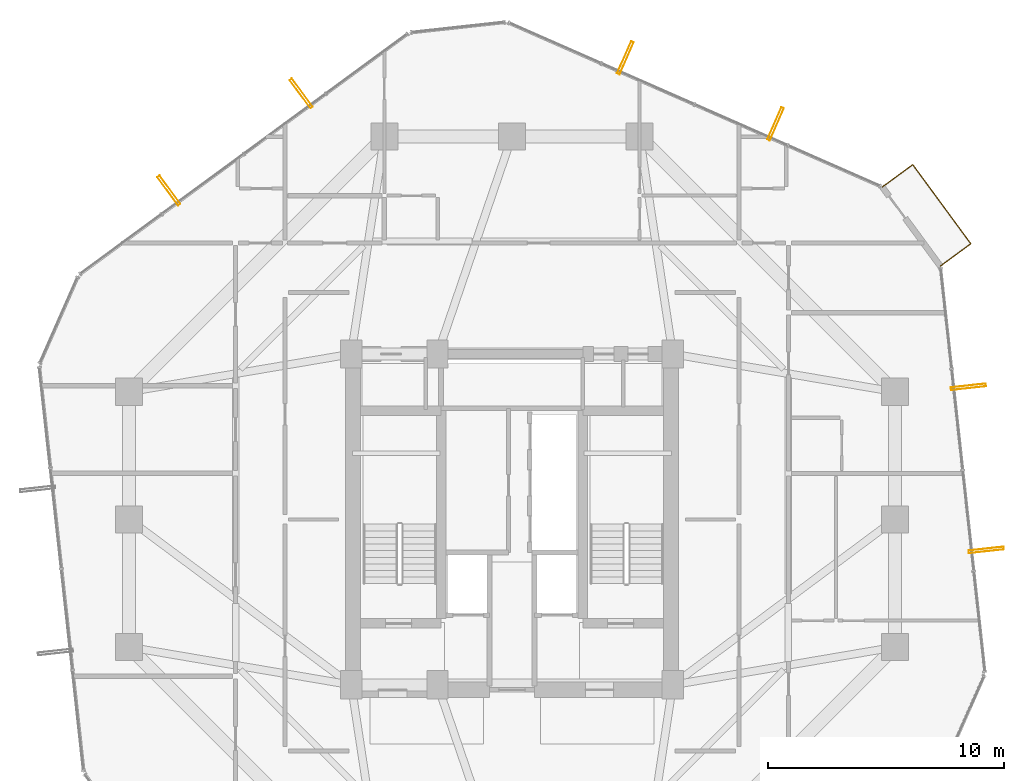
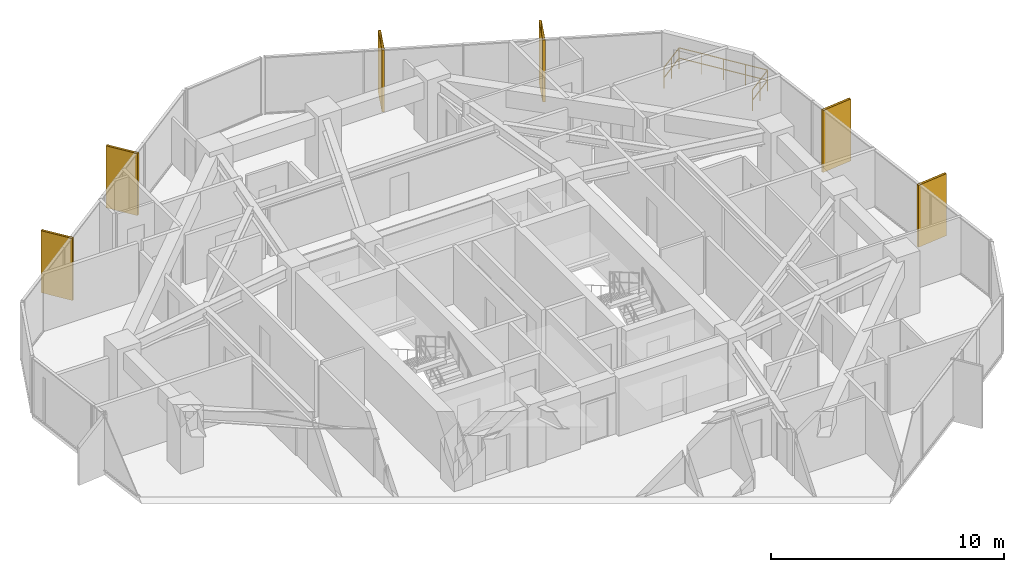
# One storey, part 34 of 34: 6 shading devices, 1 railing.
"""IFC4 building model written with IfcOpenShell, lengths in metres."""

from ifc_helpers import new_model, si_unit, direction, frame, origin, origin_2d, place, context, subcontext, project, spatial, hollow_rectangle, circle, extrude, material, material_profile, profile_set, type_object, element, save


model = new_model("IFC4")

# Units and contexts
model_context = context("Model", 3, precision=1e-05, world=origin(), true_north=direction((0.0, 1.0)))
body_context = subcontext(model_context, "Body", "Model", "MODEL_VIEW")
ifc_project = project(units=[si_unit("LENGTHUNIT", "METRE"), si_unit("AREAUNIT", "SQUARE_METRE"), si_unit("VOLUMEUNIT", "CUBIC_METRE"), si_unit("PLANEANGLEUNIT", "RADIAN"), si_unit("MASSUNIT", "GRAM", prefix="KILO")], contexts=[model_context])

# Site, building, storey
site_placement = place(None, origin())
site = spatial("IfcSite", under=ifc_project, at=site_placement, CompositionType="ELEMENT")
building_placement = place(site_placement, origin())
building = spatial("IfcBuilding", under=site, at=building_placement, Name="Veraguas Prism Commons", CompositionType="ELEMENT")
storey_placement = place(building_placement, frame((0.0, 0.0, 149.0)))
storey = spatial("IfcBuildingStorey", under=building, at=storey_placement, Name="L42", CompositionType="ELEMENT", Elevation=149.0)

# Shading devices
ifc_material_1 = material(Name="Anodised aluminium EN AW-6063 T6", Category="aluminium")
ifc_material_profile = material_profile(ifc_material_1, hollow_rectangle(XDim=0.1201171875, YDim=1.489990234375, WallThickness=0.006103515625, at=origin_2d()), Name="FIN120X1490X6")
ifc_profile_set = profile_set([ifc_material_profile], Name="Anodised aluminium EN AW-6063 T6")
shading_device_type = type_object("IfcShadingDeviceType", Name="Deep Pale-Metal Vertical Solar Fin 120x1490", PredefinedType="USERDEFINED", material=ifc_profile_set)
for number, where, z_axis, x_axis, name in (
    (1, (35.1513671875, 40.734130859375, -0.22998046875), (0.0, 0.0, 1.0), (-0.915383163024, 0.402583736448, 0.0), "Vertical Pale-Metal Solar Fin L42-F1A"),
    (2, (28.797119140625, 43.52880859375, -0.22998046875), (0.0, 0.0, 1.0), (-0.915383163024, 0.402583736448, 0.0), "Vertical Pale-Metal Solar Fin L42-F1B"),
    (3, (15.08349609375, 42.0244140625, -0.22998046875), (0.0, 0.0, 1.0), (-0.806343453529, -0.591447575826, 0.0), "Vertical Pale-Metal Solar Fin L42-F2A"),
    (4, (9.486083984375, 37.918701171875, -0.22998046875), (0.0, 0.0, 1.0), (-0.806343453529, -0.591447575826, 0.0), "Vertical Pale-Metal Solar Fin L42-F2B"),
    (5, (44.06787109375, 22.709716796875, -0.22998046875), (0.0, 0.0, 1.0), (-0.109038633831, 0.994037512538, 0.0), "Vertical Pale-Metal Solar Fin L42-F6A"),
    (6, (43.310791015625, 29.610107421875, -0.22998046875), (0.0, 0.0, 1.0), (-0.109038633831, 0.994037512538, 0.0), "Vertical Pale-Metal Solar Fin L42-F6B"),
):
    element("IfcShadingDevice", number, at=place(storey_placement, frame(where, z_axis=z_axis, x_axis=x_axis)), inside=storey, type_object=shading_device_type, Name=name, ObjectType="FIN", PredefinedType="USERDEFINED", context=body_context, shape_type="SweptSolid", body=[
        extrude(hollow_rectangle(XDim=0.1201171875, YDim=1.489990234375, WallThickness=0.006103515625, at=origin_2d()), origin(), (0.0, 0.0, 1.0), 3.25),
    ])

# Railing
ifc_material_2 = material(Name="Stainless steel AISI 316", Category="steel")
railing_type = type_object("IfcRailingType", Name="Loggia and Sky Pool Glazed Balustrade 1120", PredefinedType="BALUSTRADE", material=ifc_material_2)
railing_placement = place(storey_placement, frame((42.121826171875, 34.717041015625, 0.0)))
element("IfcRailing", 7, at=railing_placement, inside=storey, type_object=railing_type, Name="Recessed Corner Loggia L42-C1 Guard", PredefinedType="BALUSTRADE", context=body_context, shape_type="SweptSolid", body=[
    extrude(circle(Radius=0.02392578125, at=origin_2d()), frame((0.0, 0.0, 1.09619140625), z_axis=(0.806380741268, 0.591396736643, 0.0), x_axis=(-0.591396736643, 0.806380741268, 0.0)), (0.0, 0.0, 1.0), 1.60009765625),
    extrude(circle(Radius=0.02392578125, at=origin_2d()), frame((0.0, 0.0, 0.56005859375), z_axis=(0.806380741268, 0.591396736643, 0.0), x_axis=(-0.591396736643, 0.806380741268, 0.0)), (0.0, 0.0, 1.0), 1.60009765625),
    extrude(circle(Radius=0.02392578125, at=origin_2d()), frame((1.290283203125, 0.9462890625, 1.09619140625), z_axis=(-0.591435018722, 0.806352663931, 0.0), x_axis=(-0.806352663931, -0.591435018722, 0.0)), (0.0, 0.0, 1.0), 4.153076171875),
    extrude(circle(Radius=0.02392578125, at=origin_2d()), frame((1.290283203125, 0.9462890625, 0.56005859375), z_axis=(-0.591435018722, 0.806352663931, 0.0), x_axis=(-0.806352663931, -0.591435018722, 0.0)), (0.0, 0.0, 1.0), 4.153076171875),
    extrude(circle(Radius=0.02392578125, at=origin_2d()), frame((-1.166015625, 4.295166015625, 1.09619140625), z_axis=(-0.806380741268, -0.591396736643, 0.0), x_axis=(0.591396736643, -0.806380741268, 0.0)), (0.0, 0.0, 1.0), 1.60009765625),
    extrude(circle(Radius=0.02392578125, at=origin_2d()), frame((-1.166015625, 4.295166015625, 0.56005859375), z_axis=(-0.806380741268, -0.591396736643, 0.0), x_axis=(0.591396736643, -0.806380741268, 0.0)), (0.0, 0.0, 1.0), 1.60009765625),
    extrude(circle(Radius=0.02099609375, at=origin_2d()), origin(), (0.0, 0.0, 1.0), 1.072021484375),
    extrude(circle(Radius=0.02099609375, at=origin_2d()), frame((0.64501953125, 0.47314453125, 0.0)), (0.0, 0.0, 1.0), 1.072021484375),
    extrude(circle(Radius=0.02099609375, at=origin_2d()), frame((1.290283203125, 0.9462890625, 0.0)), (0.0, 0.0, 1.0), 1.072021484375),
    extrude(circle(Radius=0.02099609375, at=origin_2d()), frame((0.67626953125, 1.783447265625, 0.0)), (0.0, 0.0, 1.0), 1.072021484375),
    extrude(circle(Radius=0.02099609375, at=origin_2d()), frame((0.06201171875, 2.62060546875, 0.0)), (0.0, 0.0, 1.0), 1.072021484375),
    extrude(circle(Radius=0.02099609375, at=origin_2d()), frame((-0.552001953125, 3.4580078125, 0.0)), (0.0, 0.0, 1.0), 1.072021484375),
    extrude(circle(Radius=0.02099609375, at=origin_2d()), frame((-1.166015625, 4.295166015625, 0.0)), (0.0, 0.0, 1.0), 1.072021484375),
    extrude(circle(Radius=0.02099609375, at=origin_2d()), frame((-1.81103515625, 3.822021484375, 0.0)), (0.0, 0.0, 1.0), 1.072021484375),
    extrude(circle(Radius=0.02099609375, at=origin_2d()), frame((-2.456298828125, 3.348876953125, 0.0)), (0.0, 0.0, 1.0), 1.072021484375),
])

save(model, "model.ifc")
